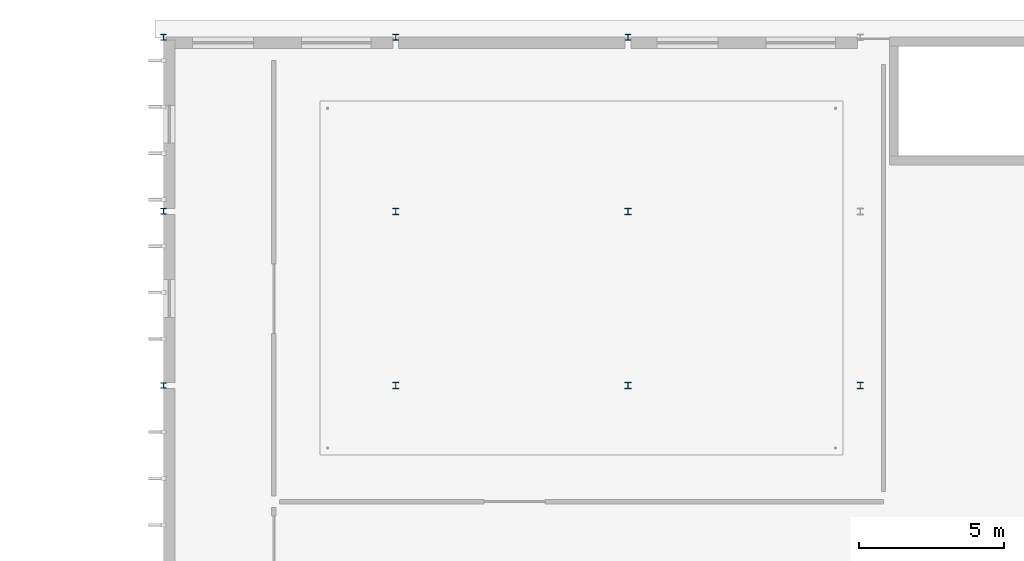
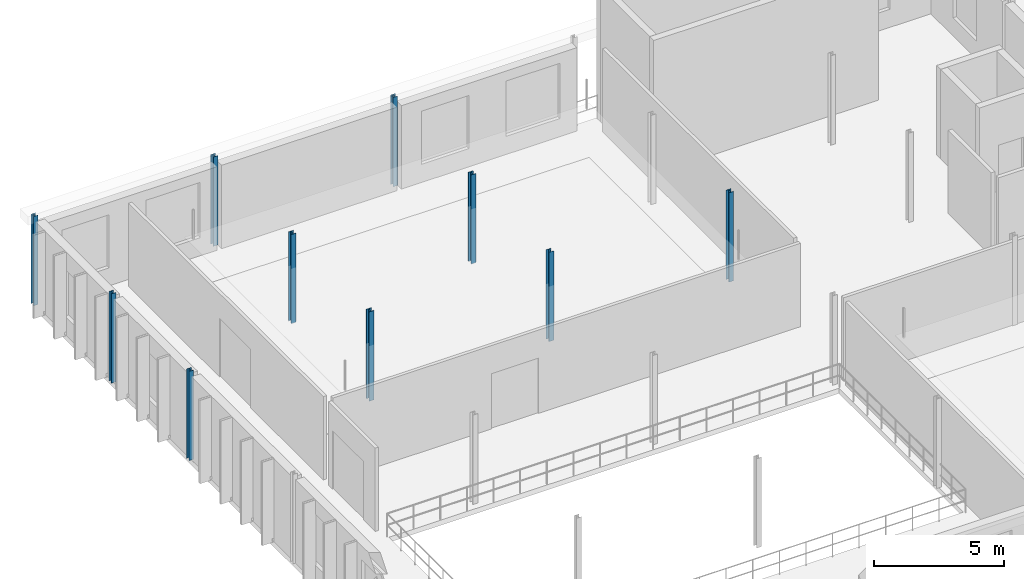
# One storey, part 8 of 67: 10 columns.
"""IFC4 building model written with IfcOpenShell, lengths in metres."""

from ifc_helpers import new_model, si_unit, direction, frame, origin, origin_2d, place, context, subcontext, project, spatial, i_section, extrude, material, material_profile, profile_set, type_object, element, save


model = new_model("IFC4")

# Units and contexts
model_context = context("Model", 3, precision=1e-05, world=origin(), true_north=direction((0.0, 1.0)))
body_context = subcontext(model_context, "Body", "Model", "MODEL_VIEW")
ifc_project = project(units=[si_unit("LENGTHUNIT", "METRE"), si_unit("AREAUNIT", "SQUARE_METRE"), si_unit("VOLUMEUNIT", "CUBIC_METRE"), si_unit("PLANEANGLEUNIT", "RADIAN"), si_unit("MASSUNIT", "GRAM", prefix="KILO")], contexts=[model_context])

# Site, building, storey
site_placement = place(None, origin())
site = spatial("IfcSite", under=ifc_project, at=site_placement, CompositionType="ELEMENT")
building_placement = place(site_placement, origin())
building = spatial("IfcBuilding", under=site, at=building_placement, Name="Sundkrona Museum", CompositionType="ELEMENT")
storey_placement = place(building_placement, frame((0.0, 0.0, 21.800048828125)))
storey = spatial("IfcBuildingStorey", under=building, at=storey_placement, Name="L04", CompositionType="ELEMENT", Elevation=21.800048828125)

# Columns
ifc_material = material(Name="Steel S355J2", Category="steel")
ifc_material_profile_1 = material_profile(ifc_material, i_section(OverallWidth=0.199951171875, OverallDepth=0.199951171875, WebThickness=0.009033203125, FlangeThickness=0.014892578125, FilletRadius=0.01806640625, at=origin_2d()), Name="HEB 200")
ifc_profile_set_1 = profile_set([ifc_material_profile_1], Name="Steel S355J2")
column_type_1 = type_object("IfcColumnType", Name="C-HEB200", PredefinedType="COLUMN", material=ifc_profile_set_1)
for number, where, z_axis, x_axis, name in (
    (1, (16.0, 102.0, 0.0), (0.0, 0.0, 1.0), (1.0, 0.0, 0.0), "L04 Column P/3"),
    (2, (16.0, 108.0, 0.0), (0.0, 0.0, 1.0), (1.0, 0.0, 0.0), "L04 Column Q/3"),
    (3, (16.0, 114.0, 0.0), (0.0, 0.0, 1.0), (1.0, 0.0, 0.0), "L04 Column R/3"),
    (4, (24.0, 114.0, 0.0), (0.0, 0.0, 1.0), (1.0, 0.0, 0.0), "L04 Column R/4"),
    (5, (32.0, 114.0, 0.0), (0.0, 0.0, 1.0), (1.0, 0.0, 0.0), "L04 Column R/5"),
):
    element("IfcColumn", number, at=place(storey_placement, frame(where, z_axis=z_axis, x_axis=x_axis)), inside=storey, type_object=column_type_1, Name=name, PredefinedType="COLUMN", context=body_context, shape_type="SweptSolid", body=[
        extrude(i_section(OverallWidth=0.199951171875, OverallDepth=0.199951171875, WebThickness=0.009033203125, FlangeThickness=0.014892578125, FilletRadius=0.01806640625, at=origin_2d()), origin(), (0.0, 0.0, 1.0), 4.199951171875),
    ])
ifc_material_profile_2 = material_profile(ifc_material, i_section(OverallWidth=0.219970703125, OverallDepth=0.219970703125, WebThickness=0.009521484375, FlangeThickness=0.01611328125, FilletRadius=0.01806640625, at=origin_2d()), Name="HEB 220")
ifc_profile_set_2 = profile_set([ifc_material_profile_2], Name="Steel S355J2")
column_type_2 = type_object("IfcColumnType", Name="C-HEB220", PredefinedType="COLUMN", material=ifc_profile_set_2)
for number, where, z_axis, x_axis, name in (
    (6, (24.0, 102.0, 0.0), (0.0, 0.0, 1.0), (1.0, 0.0, 0.0), "L04 Column P/4"),
    (7, (24.0, 108.0, 0.0), (0.0, 0.0, 1.0), (1.0, 0.0, 0.0), "L04 Column Q/4"),
    (8, (32.0, 102.0, 0.0), (0.0, 0.0, 1.0), (1.0, 0.0, 0.0), "L04 Column P/5"),
    (9, (32.0, 108.0, 0.0), (0.0, 0.0, 1.0), (1.0, 0.0, 0.0), "L04 Column Q/5"),
    (10, (40.0, 102.0, 0.0), (0.0, 0.0, 1.0), (1.0, 0.0, 0.0), "L04 Column P/6"),
):
    element("IfcColumn", number, at=place(storey_placement, frame(where, z_axis=z_axis, x_axis=x_axis)), inside=storey, type_object=column_type_2, Name=name, PredefinedType="COLUMN", context=body_context, shape_type="SweptSolid", body=[
        extrude(i_section(OverallWidth=0.219970703125, OverallDepth=0.219970703125, WebThickness=0.009521484375, FlangeThickness=0.01611328125, FilletRadius=0.01806640625, at=origin_2d()), origin(), (0.0, 0.0, 1.0), 4.199951171875),
    ])

save(model, "model.ifc")
